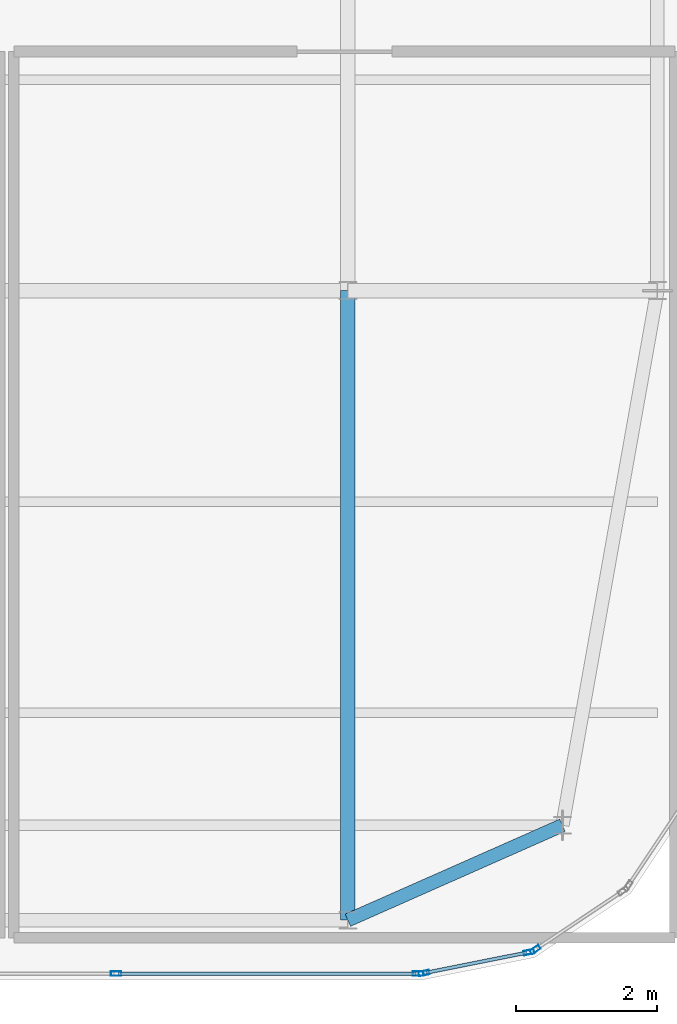
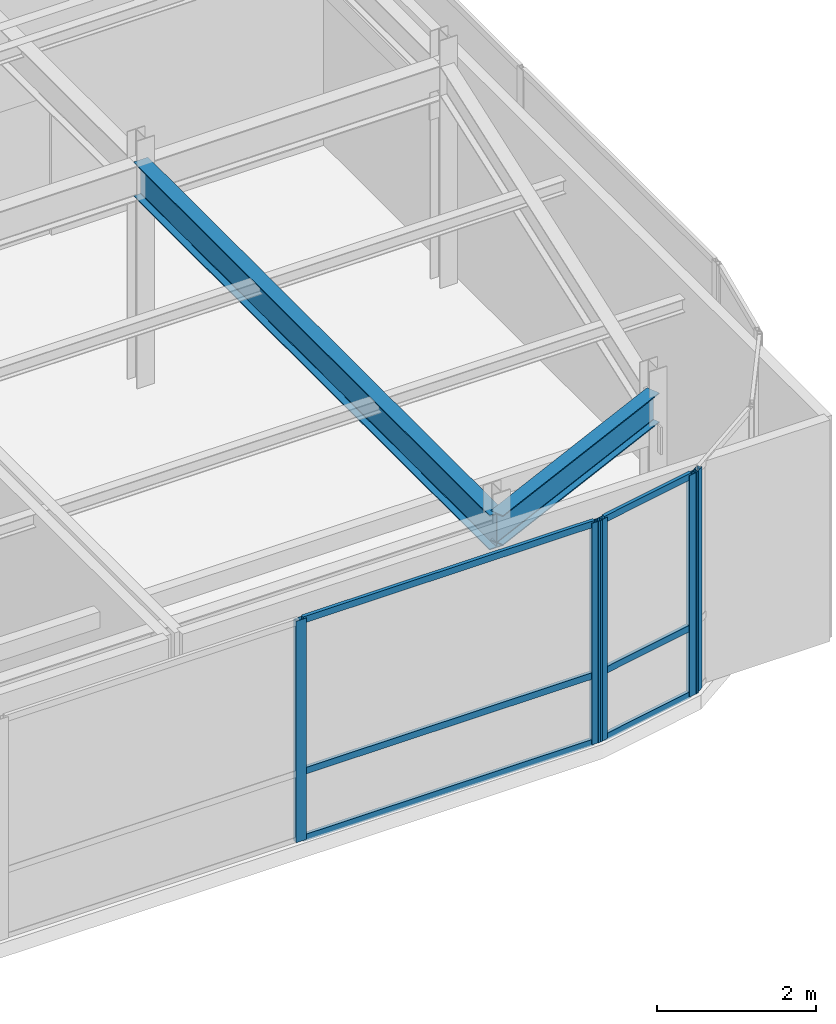
# One storey, part 14 of 35: 11 members, 2 beams, 3 elements without a shape of their own.
"""IFC4 building model written with IfcOpenShell, lengths in metres."""

from ifc_helpers import new_model, si_unit, direction, frame, origin, origin_2d, place, context, subcontext, project, spatial, hollow_rectangle, i_section, extrude, source, transform, mapped, material, layer, layer_set, material_profile, profile_set, type_object, type_shapes, element, aggregate, save


model = new_model("IFC4")

# Units and contexts
model_context = context("Model", 3, precision=1e-05, world=origin(), true_north=direction((0.0, 1.0)))
body_context = subcontext(model_context, "Body", "Model", "MODEL_VIEW")
ifc_project = project(units=[si_unit("LENGTHUNIT", "METRE"), si_unit("AREAUNIT", "SQUARE_METRE"), si_unit("VOLUMEUNIT", "CUBIC_METRE"), si_unit("PLANEANGLEUNIT", "RADIAN"), si_unit("MASSUNIT", "GRAM", prefix="KILO")], contexts=[model_context])

# Site, building, storey
site_placement = place(None, origin())
site = spatial("IfcSite", under=ifc_project, at=site_placement, CompositionType="ELEMENT")
building_placement = place(site_placement, origin())
building = spatial("IfcBuilding", under=site, at=building_placement, Name="Tolvann Quenvar Hotel", CompositionType="ELEMENT")
storey_placement = place(building_placement, frame((0.0, 0.0, 309.949951171875)))
storey = spatial("IfcBuildingStorey", under=building, at=storey_placement, Name="L82", CompositionType="ELEMENT", Elevation=309.949951171875)

# Beams
ifc_material_1 = material(Name="Steel Grade 350", Category="steel")
ifc_material_profile_1 = material_profile(ifc_material_1, i_section(OverallWidth=0.19091796875, OverallDepth=0.4599609375, WebThickness=0.010009765625, FlangeThickness=0.01611328125, FilletRadius=0.011474609375, at=origin_2d()), Name="460UB82")
ifc_profile_set_1 = profile_set([ifc_material_profile_1], Name="Steel Grade 350")
beam_type_1 = type_object("IfcBeamType", Name="BM_SPAND_460UB82", PredefinedType="SPANDREL", material=ifc_profile_set_1)
shared_shape_1 = source(origin(), body_context, "Body", "SweptSolid", [
    extrude(i_section(OverallWidth=0.19091796875, OverallDepth=0.4599609375, WebThickness=0.010009765625, FlangeThickness=0.01611328125, FilletRadius=0.011474609375, at=origin_2d()), origin(), (0.0, 0.0, 1.0), 3.33544921875),
])
type_shapes(beam_type_1, [shared_shape_1])
beam_1_placement = place(storey_placement, frame((32.75, 7.050048828125, 3.170166015625), z_axis=(0.914447312445, 0.404704970024, 0.0), x_axis=(-0.404704970024, 0.914447312445, 0.0)))
element("IfcBeam", 1, at=beam_1_placement, inside=storey, type_object=beam_type_1, Name="BM-L82-EW-2-FP2-G2", PredefinedType="SPANDREL", context=body_context, shape_type="MappedRepresentation", body=[
    mapped(shared_shape_1, transform((0.0, 0.0, 0.0), x_axis=(1.0, 0.0, 0.0), y_axis=(0.0, 1.0, 0.0), z_axis=(0.0, 0.0, 1.0), scale=1.0)),
])
ifc_material_profile_2 = material_profile(ifc_material_1, i_section(OverallWidth=0.208984375, OverallDepth=0.532958984375, WebThickness=0.01025390625, FlangeThickness=0.015625, FilletRadius=0.013916015625, at=origin_2d()), Name="530UB92")
ifc_profile_set_2 = profile_set([ifc_material_profile_2], Name="Steel Grade 350")
beam_type_2 = type_object("IfcBeamType", Name="BM_GIRD_530UB92", PredefinedType="BEAM", material=ifc_profile_set_2)
shared_shape_2 = source(origin(), body_context, "Body", "SweptSolid", [
    extrude(i_section(OverallWidth=0.208984375, OverallDepth=0.532958984375, WebThickness=0.01025390625, FlangeThickness=0.015625, FilletRadius=0.013916015625, at=origin_2d()), origin(), (0.0, 0.0, 1.0), 8.949951171875),
])
type_shapes(beam_type_2, [shared_shape_2])
beam_2_placement = place(storey_placement, frame((32.75, 7.050048828125, 3.133544921875), z_axis=(0.0, 1.0, 0.0), x_axis=(-1.0, 0.0, 0.0)))
element("IfcBeam", 2, at=beam_2_placement, inside=storey, type_object=beam_type_2, Name="BM-L82-NS-FP2-FP4", PredefinedType="BEAM", context=body_context, shape_type="MappedRepresentation", body=[
    mapped(shared_shape_2, transform((0.0, 0.0, 0.0), x_axis=(1.0, 0.0, 0.0), y_axis=(0.0, 1.0, 0.0), z_axis=(0.0, 0.0, 1.0), scale=1.0)),
])

# Curtain wall, members
ifc_material_2 = material(Name="Thermally broken anodised architectural aluminium 6063-T6 and laminated low-E glass", Category="aluminium")
ifc_layer = layer(ifc_material_2, 0.179931640625)
ifc_layer_set = layer_set([ifc_layer], Name="Thermally broken anodised architectural aluminium 6063-T6 and laminated low-E glass")
curtain_wall_type = type_object("IfcCurtainWallType", Name="CW_SYS_LANT_06", PredefinedType="USERDEFINED", material=ifc_layer_set)
curtain_wall_1_placement = place(storey_placement, origin())
curtain_wall_1 = element("IfcCurtainWall", 3, at=curtain_wall_1_placement, inside=storey, type_object=curtain_wall_type, Name="Curtain Wall CW-LANT-06 (CWR-L82-E05)", ObjectType="UNITISED CURTAIN WALL", PredefinedType="USERDEFINED")
ifc_material_3 = material(Name="Anodised architectural aluminium 6063-T6 framing", Category="aluminium")
ifc_material_profile_3 = material_profile(ifc_material_3, hollow_rectangle(XDim=0.050048828125, YDim=0.10009765625, WallThickness=0.0029296875, at=origin_2d()), Name="100x50x3RHS")
ifc_profile_set_3 = profile_set([ifc_material_profile_3], Name="Anodised architectural aluminium 6063-T6 framing")
member_type_1 = type_object("IfcMemberType", Name="CW_TRAN_100x50", PredefinedType="USERDEFINED", material=ifc_profile_set_3)
shared_shape_3 = source(origin(), body_context, "Body", "SweptSolid", [
    extrude(hollow_rectangle(XDim=0.050048828125, YDim=0.10009765625, WallThickness=0.0029296875, at=origin_2d()), origin(), (0.0, 0.0, 1.0), 1.456787109375),
])
member_1_placement = place(storey_placement, frame((33.863037109375, 6.30419921875, 0.025146484375), z_axis=(0.980786408364, 0.195084651288, 0.0), x_axis=(-0.195084651288, 0.980786408364, 0.0)))
member_1 = element("IfcMember", 4, at=member_1_placement, type_object=member_type_1, Name="CW-LANT-06 transom 1.1", ObjectType="TRANSOM", PredefinedType="USERDEFINED", context=body_context, shape_type="MappedRepresentation", body=[
    mapped(shared_shape_3, transform((0.0, 0.0, 0.0), x_axis=(1.0, 0.0, 0.0), y_axis=(0.0, 1.0, 0.0), z_axis=(0.0, 0.0, 1.0), scale=1.0)),
])
member_2_placement = place(storey_placement, frame((33.863037109375, 6.30419921875, 1.050048828125), z_axis=(0.980786408364, 0.195084651288, 0.0), x_axis=(-0.195084651288, 0.980786408364, 0.0)))
member_2 = element("IfcMember", 5, at=member_2_placement, type_object=member_type_1, Name="CW-LANT-06 transom 1.2", ObjectType="TRANSOM", PredefinedType="USERDEFINED", context=body_context, shape_type="MappedRepresentation", body=[
    mapped(shared_shape_3, transform((0.0, 0.0, 0.0), x_axis=(1.0, 0.0, 0.0), y_axis=(0.0, 1.0, 0.0), z_axis=(0.0, 0.0, 1.0), scale=1.0)),
])
member_3_placement = place(storey_placement, frame((33.863037109375, 6.30419921875, 3.375), z_axis=(0.980786408364, 0.195084651288, 0.0), x_axis=(-0.195084651288, 0.980786408364, 0.0)))
member_3 = element("IfcMember", 6, at=member_3_placement, type_object=member_type_1, Name="CW-LANT-06 transom 1.3", ObjectType="TRANSOM", PredefinedType="USERDEFINED", context=body_context, shape_type="MappedRepresentation", body=[
    mapped(shared_shape_3, transform((0.0, 0.0, 0.0), x_axis=(1.0, 0.0, 0.0), y_axis=(0.0, 1.0, 0.0), z_axis=(0.0, 0.0, 1.0), scale=1.0)),
])

curtain_wall_2_placement = place(storey_placement, origin())
curtain_wall_2 = element("IfcCurtainWall", 7, at=curtain_wall_2_placement, inside=storey, type_object=curtain_wall_type, Name="Curtain Wall CW-LANT-06 (CWR-L82-E04)", ObjectType="UNITISED CURTAIN WALL", PredefinedType="USERDEFINED")
shared_shape_4 = source(origin(), body_context, "Body", "SweptSolid", [
    extrude(hollow_rectangle(XDim=0.050048828125, YDim=0.10009765625, WallThickness=0.0029296875, at=origin_2d()), origin(), (0.0, 0.0, 1.0), 4.22998046875),
])
type_shapes(member_type_1, [shared_shape_3, shared_shape_4])
member_4_placement = place(storey_placement, frame((29.48779296875, 6.2900390625, 0.025146484375), z_axis=(1.0, 0.0, 0.0), x_axis=(0.0, 1.0, 0.0)))
member_4 = element("IfcMember", 8, at=member_4_placement, type_object=member_type_1, Name="CW-LANT-06 transom 6.1", ObjectType="TRANSOM", PredefinedType="USERDEFINED", context=body_context, shape_type="MappedRepresentation", body=[
    mapped(shared_shape_4, transform((0.0, 0.0, 0.0), x_axis=(1.0, 0.0, 0.0), y_axis=(0.0, 1.0, 0.0), z_axis=(0.0, 0.0, 1.0), scale=1.0)),
])
member_5_placement = place(storey_placement, frame((29.48779296875, 6.2900390625, 1.050048828125), z_axis=(1.0, 0.0, 0.0), x_axis=(0.0, 1.0, 0.0)))
member_5 = element("IfcMember", 9, at=member_5_placement, type_object=member_type_1, Name="CW-LANT-06 transom 6.2", ObjectType="TRANSOM", PredefinedType="USERDEFINED", context=body_context, shape_type="MappedRepresentation", body=[
    mapped(shared_shape_4, transform((0.0, 0.0, 0.0), x_axis=(1.0, 0.0, 0.0), y_axis=(0.0, 1.0, 0.0), z_axis=(0.0, 0.0, 1.0), scale=1.0)),
])
member_6_placement = place(storey_placement, frame((29.48779296875, 6.2900390625, 3.375), z_axis=(1.0, 0.0, 0.0), x_axis=(0.0, 1.0, 0.0)))
member_6 = element("IfcMember", 10, at=member_6_placement, type_object=member_type_1, Name="CW-LANT-06 transom 6.3", ObjectType="TRANSOM", PredefinedType="USERDEFINED", context=body_context, shape_type="MappedRepresentation", body=[
    mapped(shared_shape_4, transform((0.0, 0.0, 0.0), x_axis=(1.0, 0.0, 0.0), y_axis=(0.0, 1.0, 0.0), z_axis=(0.0, 0.0, 1.0), scale=1.0)),
])
ifc_material_profile_4 = material_profile(ifc_material_3, hollow_rectangle(XDim=0.06494140625, YDim=0.14990234375, WallThickness=0.00390625, at=origin_2d()), Name="150x65x4RHS")
ifc_profile_set_4 = profile_set([ifc_material_profile_4], Name="Anodised architectural aluminium 6063-T6 framing")
member_type_2 = type_object("IfcMemberType", Name="CW_MULL_150x65", PredefinedType="MULLION", material=ifc_profile_set_4)
shared_shape_5 = source(origin(), body_context, "Body", "SweptSolid", [
    extrude(hollow_rectangle(XDim=0.06494140625, YDim=0.14990234375, WallThickness=0.00390625, at=origin_2d()), origin(), (0.0, 0.0, 1.0), 3.400146484375),
])
type_shapes(member_type_2, [shared_shape_5])
member_7_placement = place(storey_placement, frame((29.455078125, 6.2900390625, 0.0), z_axis=(0.0, 0.0, 1.0), x_axis=(0.0, 1.0, 0.0)))
member_7 = element("IfcMember", 11, at=member_7_placement, type_object=member_type_2, Name="CW-LANT-06 mullion 6", PredefinedType="MULLION", context=body_context, shape_type="MappedRepresentation", body=[
    mapped(shared_shape_5, transform((0.0, 0.0, 0.0), x_axis=(1.0, 0.0, 0.0), y_axis=(0.0, 1.0, 0.0), z_axis=(0.0, 0.0, 1.0), scale=1.0)),
])
member_8_placement = place(storey_placement, frame((33.750244140625, 6.2900390625, 0.0), z_axis=(0.0, 0.0, 1.0), x_axis=(0.0, 1.0, 0.0)))
member_8 = element("IfcMember", 12, at=member_8_placement, type_object=member_type_2, Name="CW-LANT-06 mullion 7", PredefinedType="MULLION", context=body_context, shape_type="MappedRepresentation", body=[
    mapped(shared_shape_5, transform((0.0, 0.0, 0.0), x_axis=(1.0, 0.0, 0.0), y_axis=(0.0, 1.0, 0.0), z_axis=(0.0, 0.0, 1.0), scale=1.0)),
])
aggregate(curtain_wall_2, [member_7, member_8, member_4, member_5, member_6])

# Member
member_9_placement = place(storey_placement, frame((33.831298828125, 6.2978515625, 0.0), z_axis=(0.0, 0.0, 1.0), x_axis=(-0.195061569369, 0.980790999222, 0.0)))
member_9 = element("IfcMember", 13, at=member_9_placement, type_object=member_type_2, Name="CW-LANT-06 mullion 1", PredefinedType="MULLION", context=body_context, shape_type="MappedRepresentation", body=[
    mapped(shared_shape_5, transform((0.0, 0.0, 0.0), x_axis=(1.0, 0.0, 0.0), y_axis=(0.0, 1.0, 0.0), z_axis=(0.0, 0.0, 1.0), scale=1.0)),
])

member_10_placement = place(storey_placement, frame((35.32373046875, 6.5947265625, 0.0), z_axis=(0.0, 0.0, 1.0), x_axis=(-0.195061569369, 0.980790999222, 0.0)))
member_10 = element("IfcMember", 14, at=member_10_placement, type_object=member_type_2, Name="CW-LANT-06 mullion 2", PredefinedType="MULLION", context=body_context, shape_type="MappedRepresentation", body=[
    mapped(shared_shape_5, transform((0.0, 0.0, 0.0), x_axis=(1.0, 0.0, 0.0), y_axis=(0.0, 1.0, 0.0), z_axis=(0.0, 0.0, 1.0), scale=1.0)),
])

aggregate(curtain_wall_1, [member_9, member_10, member_1, member_2, member_3])

# Curtain wall, member
curtain_wall_3_placement = place(storey_placement, origin())
curtain_wall_3 = element("IfcCurtainWall", 15, at=curtain_wall_3_placement, inside=storey, type_object=curtain_wall_type, Name="Curtain Wall CW-LANT-06 (CWR-L82-E06)", ObjectType="UNITISED CURTAIN WALL", PredefinedType="USERDEFINED")
member_11_placement = place(storey_placement, frame((35.413330078125, 6.6318359375, 0.0), z_axis=(0.0, 0.0, 1.0), x_axis=(-0.555655769644, 0.831412452193, 0.0)))
member_11 = element("IfcMember", 16, at=member_11_placement, type_object=member_type_2, Name="CW-LANT-06 mullion 1", PredefinedType="MULLION", context=body_context, shape_type="MappedRepresentation", body=[
    mapped(shared_shape_5, transform((0.0, 0.0, 0.0), x_axis=(1.0, 0.0, 0.0), y_axis=(0.0, 1.0, 0.0), z_axis=(0.0, 0.0, 1.0), scale=1.0)),
])
aggregate(curtain_wall_3, [member_11])

save(model, "model.ifc")
